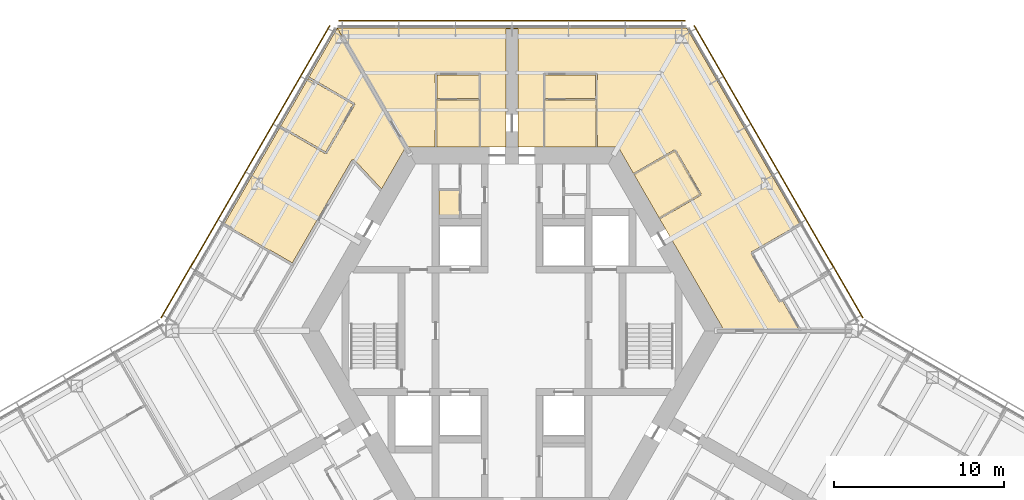
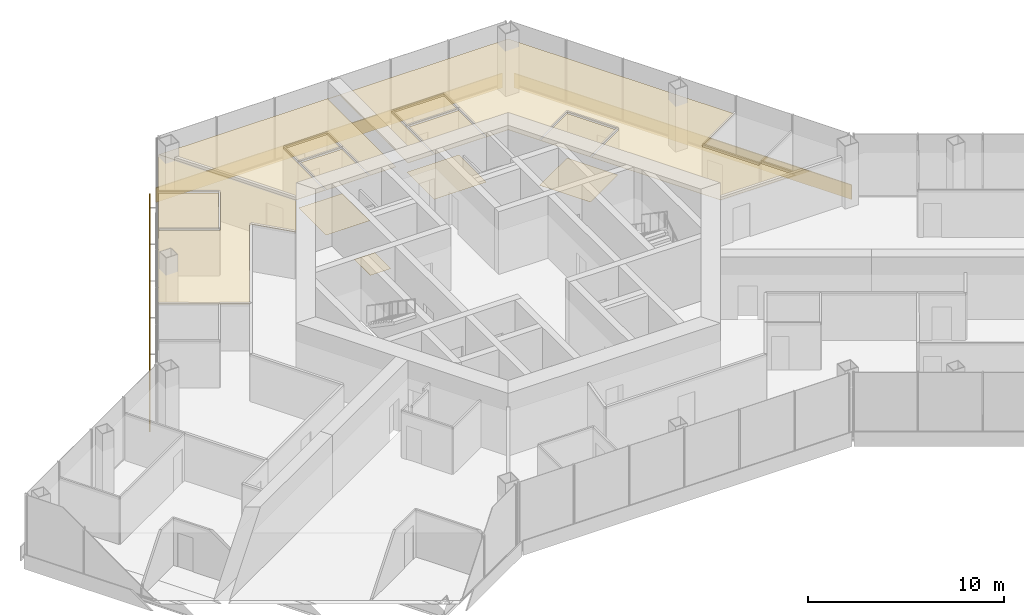
# One storey, part 18 of 18: 13 coverings, 3 shading devices.
"""IFC4 building model written with IfcOpenShell, lengths in metres."""

from ifc_helpers import new_model, si_unit, direction, frame, origin, origin_2d, place, context, subcontext, project, spatial, polyline, rectangle, outline, extrude, material, layer, layer_set, type_object, element, save


model = new_model("IFC4")

# Units and contexts
model_context = context("Model", 3, precision=1e-05, world=origin(), true_north=direction((0.0, 1.0)))
body_context = subcontext(model_context, "Body", "Model", "MODEL_VIEW")
ifc_project = project(units=[si_unit("LENGTHUNIT", "METRE"), si_unit("AREAUNIT", "SQUARE_METRE"), si_unit("VOLUMEUNIT", "CUBIC_METRE"), si_unit("PLANEANGLEUNIT", "RADIAN"), si_unit("MASSUNIT", "GRAM", prefix="KILO")], contexts=[model_context])

# Site, building, storey
site_placement = place(None, origin())
site = spatial("IfcSite", under=ifc_project, at=site_placement, CompositionType="ELEMENT")
building_placement = place(site_placement, origin())
building = spatial("IfcBuilding", under=site, at=building_placement, Name="Kasaneha Research Tower", CompositionType="ELEMENT")
storey_placement = place(building_placement, frame((0.0, 0.0, 140.89990234375)))
storey = spatial("IfcBuildingStorey", under=building, at=storey_placement, Name="L35", CompositionType="ELEMENT", Elevation=140.89990234375)

# Coverings
ifc_material_1 = material(Name="Gypsum ceiling board", Category="gypsum")
ifc_layer_1 = layer(ifc_material_1, 0.02001953125)
ifc_layer_set_1 = layer_set([ifc_layer_1], Name="Suspended ceiling 20")
covering_type_1 = type_object("IfcCoveringType", Name="Suspended ceiling 20", PredefinedType="CEILING", material=ifc_layer_set_1)
covering_1_placement = place(storey_placement, frame((0.0, 0.0, 2.800048828125)))
element("IfcCovering", 1, at=covering_1_placement, inside=storey, type_object=covering_type_1, Name="Ceiling L35-26", PredefinedType="CEILING", context=body_context, shape_type="SweptSolid", body=[
    extrude(outline(polyline([(1.89990234375, 10.824951171875), (1.89990234375, 10.844970703125), (1.949951171875, 10.844970703125), (1.95458984375, 13.570068359375), (4.91650390625, 13.570068359375), (4.9208984375, 10.844970703125), (4.970947265625, 10.844970703125), (4.970947265625, 10.824951171875), (1.89990234375, 10.824951171875)])), origin(), (0.0, 0.0, 1.0), 0.02001953125),
])
covering_2_placement = place(storey_placement, frame((0.0, 0.0, 2.800048828125)))
element("IfcCovering", 2, at=covering_2_placement, inside=storey, type_object=covering_type_1, Name="Ceiling L35-27", PredefinedType="CEILING", context=body_context, shape_type="SweptSolid", body=[
    extrude(outline(polyline([(4.91650390625, 13.669921875), (1.954345703125, 13.669921875), (1.9501953125, 15.074951171875), (4.9208984375, 15.074951171875), (4.91650390625, 13.669921875)])), origin(), (0.0, 0.0, 1.0), 0.02001953125),
])
covering_3_placement = place(storey_placement, frame((0.0, 0.0, 2.800048828125)))
element("IfcCovering", 3, at=covering_3_placement, inside=storey, type_object=covering_type_1, Name="Ceiling L35-28", PredefinedType="CEILING", context=body_context, shape_type="SweptSolid", body=[
    extrude(outline(polyline([(7.1748046875, 9.222900390625), (7.19189453125, 9.23291015625), (7.217041015625, 9.189697265625), (9.581298828125, 10.5546875), (11.03125, 8.043212890625), (8.6669921875, 6.67822265625), (8.69189453125, 6.635009765625), (8.6748046875, 6.625), (7.1748046875, 9.222900390625)])), origin(), (0.0, 0.0, 1.0), 0.02001953125),
])
covering_4_placement = place(storey_placement, frame((0.0, 0.0, 2.800048828125)))
element("IfcCovering", 4, at=covering_4_placement, inside=storey, type_object=covering_type_1, Name="Ceiling L35-31", PredefinedType="CEILING", context=body_context, shape_type="SweptSolid", body=[
    extrude(outline(polyline([(8.692138671875, 6.634521484375), (8.717041015625, 6.591552734375), (11.12451171875, 7.981689453125), (11.099609375, 8.02490234375), (11.10009765625, 8.025146484375), (11.10009765625, 8.025146484375), (11.142822265625, 8.0498046875), (9.642822265625, 10.64794921875), (9.599853515625, 10.623291015625), (9.599853515625, 10.62353515625), (9.599365234375, 10.623291015625), (9.57470703125, 10.666259765625), (7.1669921875, 9.2763671875), (7.191650390625, 9.2333984375), (7.174560546875, 9.223388671875), (6.249755859375, 10.824951171875), (4.971435546875, 10.824951171875), (4.971435546875, 10.844970703125), (5.02099609375, 10.844970703125), (5.016357421875, 13.625), (5.02099609375, 15.124755859375), (4.971435546875, 15.125), (4.971435546875, 15.12548828125), (4.970947265625, 15.12548828125), (4.970947265625, 15.175048828125), (1.89990234375, 15.175048828125), (1.89990234375, 15.125244140625), (1.899658203125, 15.125244140625), (1.899658203125, 15.125), (1.85009765625, 15.124755859375), (1.8544921875, 13.625), (1.85009765625, 10.844970703125), (1.8994140625, 10.844970703125), (1.8994140625, 10.824951171875), (0.35009765625, 10.824951171875), (0.35009765625, 11.72509765625), (0.35009765625, 12.72509765625), (0.35009765625, 17.7705078125), (0.35009765625, 17.7705078125), (0.0, 17.7705078125), (0.0, 17.820556640625), (10.28857421875, 17.820556640625), (16.94677734375, 6.28857421875), (14.0888671875, 4.638427734375), (14.11376953125, 4.595458984375), (14.11328125, 4.59521484375), (14.113525390625, 4.594970703125), (14.070556640625, 4.5703125), (15.736083984375, 1.685546875), (15.78662109375, 1.71484375), (15.913330078125, 1.787353515625), (16.93994140625, 0.0), (12.49951171875, 0.0), (8.675048828125, 6.62451171875), (8.692138671875, 6.634521484375)])), origin(), (0.0, 0.0, 1.0), 0.02001953125),
])
covering_5_placement = place(storey_placement, frame((0.0, 0.0, 2.800048828125)))
element("IfcCovering", 5, at=covering_5_placement, inside=storey, type_object=covering_type_1, Name="Ceiling L35-32", PredefinedType="CEILING", context=body_context, shape_type="SweptSolid", body=[
    extrude(outline(polyline([(-4.470947265625, 10.824951171875), (-4.470947265625, 10.844970703125), (-4.4208984375, 10.844970703125), (-4.41650390625, 13.570068359375), (-1.95458984375, 13.570068359375), (-1.949951171875, 10.844970703125), (-1.89990234375, 10.844970703125), (-1.89990234375, 10.824951171875), (-4.470947265625, 10.824951171875)])), origin(), (0.0, 0.0, 1.0), 0.02001953125),
])
covering_6_placement = place(storey_placement, frame((0.0, 0.0, 2.800048828125)))
element("IfcCovering", 6, at=covering_6_placement, inside=storey, type_object=covering_type_1, Name="Ceiling L35-33", PredefinedType="CEILING", context=body_context, shape_type="SweptSolid", body=[
    extrude(outline(polyline([(-1.9501953125, 15.074951171875), (-1.95458984375, 13.669921875), (-4.41650390625, 13.669921875), (-4.4208984375, 15.074951171875), (-1.9501953125, 15.074951171875)])), origin(), (0.0, 0.0, 1.0), 0.02001953125),
])
covering_7_placement = place(storey_placement, frame((0.0, 0.0, 2.800048828125)))
element("IfcCovering", 7, at=covering_7_placement, inside=storey, type_object=covering_type_1, Name="Ceiling L35-34", PredefinedType="CEILING", context=body_context, shape_type="SweptSolid", body=[
    extrude(outline(polyline([(-0.35009765625, 11.72509765625), (-0.35009765625, 10.824951171875), (-1.8994140625, 10.824951171875), (-1.8994140625, 10.844970703125), (-1.85009765625, 10.844970703125), (-1.854736328125, 13.625), (-1.85009765625, 15.124755859375), (-1.89990234375, 15.125), (-1.89990234375, 15.12548828125), (-1.89990234375, 15.175048828125), (-4.470947265625, 15.175048828125), (-4.470947265625, 15.125244140625), (-4.471435546875, 15.125244140625), (-4.471435546875, 15.125), (-4.52099609375, 15.124755859375), (-4.516357421875, 13.625), (-4.52099609375, 10.844970703125), (-4.471435546875, 10.844970703125), (-4.471435546875, 10.824951171875), (-6.249755859375, 10.824951171875), (-10.28857421875, 17.820556640625), (0.0, 17.820556640625), (0.0, 17.7705078125), (-0.35009765625, 17.7705078125), (-0.35009765625, 17.7705078125), (-0.35009765625, 12.72509765625), (-0.35009765625, 11.72509765625)])), origin(), (0.0, 0.0, 1.0), 0.02001953125),
])
covering_8_placement = place(storey_placement, frame((0.0, 0.0, 2.800048828125)))
element("IfcCovering", 8, at=covering_8_placement, inside=storey, type_object=covering_type_1, Name="Ceiling L35-37", PredefinedType="CEILING", context=body_context, shape_type="SweptSolid", body=[
    extrude(outline(polyline([(-12.000244140625, 14.85595703125), (-9.35888671875, 13.330810546875), (-10.974365234375, 10.53271484375), (-13.598388671875, 12.0478515625), (-13.623291015625, 12.004638671875), (-13.640869140625, 12.0146484375), (-12.000244140625, 14.85595703125)])), origin(), (0.0, 0.0, 1.0), 0.02001953125),
])
covering_9_placement = place(storey_placement, frame((0.0, 0.0, 2.800048828125)))
element("IfcCovering", 9, at=covering_9_placement, inside=storey, type_object=covering_type_1, Name="Ceiling L35-42", PredefinedType="CEILING", context=body_context, shape_type="SweptSolid", body=[
    extrude(outline(polyline([(-9.360595703125, 10.037841796875), (-9.360595703125, 10.037841796875), (-9.425048828125, 10.0751953125), (-12.93505859375, 3.99560546875), (-14.25146484375, 4.755859375), (-14.28662109375, 4.695068359375), (-14.286865234375, 4.6953125), (-14.264404296875, 4.734375), (-16.94677734375, 6.28857421875), (-13.64111328125, 12.01416015625), (-13.62353515625, 12.004150390625), (-13.6484375, 11.961181640625), (-10.981201171875, 10.421142578125), (-10.9560546875, 10.464599609375), (-10.912841796875, 10.439453125), (-9.247314453125, 13.32421875), (-9.290283203125, 13.34912109375), (-9.2900390625, 13.349365234375), (-9.29052734375, 13.349609375), (-9.265625, 13.392578125), (-11.9501953125, 14.9423828125), (-10.28857421875, 17.820556640625), (-6.249755859375, 10.824951171875), (-7.6806640625, 8.346435546875), (-9.305419921875, 10.0888671875), (-9.360107421875, 10.03759765625), (-9.3603515625, 10.03759765625), (-9.360595703125, 10.037841796875)])), origin(), (0.0, 0.0, 1.0), 0.02001953125),
])

# Shading devices
ifc_material_2 = material(Name="Terracotta", Category="masonry")
ifc_layer_2 = layer(ifc_material_2, 0.06005859375)
ifc_layer_set_2 = layer_set([ifc_layer_2], Name="Terracotta baguette screen")
shading_device_type = type_object("IfcShadingDeviceType", Name="Terracotta baguette screen", PredefinedType="USERDEFINED", material=ifc_layer_set_2)
shading_device_1_placement = place(storey_placement, frame((15.696044921875, 9.35498046875, -0.449951171875), z_axis=(0.0, 0.0, 1.0), x_axis=(-0.499999979232, 0.866025415775, 0.0)))
element("IfcShadingDevice", 10, at=shading_device_1_placement, inside=storey, type_object=shading_device_type, Name="Baguette screen L35 06", ObjectType="TERRACOTTA BAGUETTE SCREEN", PredefinedType="USERDEFINED", context=body_context, shape_type="SweptSolid", body=[
    extrude(rectangle(XDim=19.8857421875, YDim=0.06005859375, at=origin_2d()), origin(), (0.0, 0.0, 1.0), 0.89990234375),
])
shading_device_2_placement = place(storey_placement, frame((0.0, 18.2705078125, -0.449951171875), z_axis=(0.0, 0.0, 1.0), x_axis=(-1.0, 0.0, 0.0)))
element("IfcShadingDevice", 11, at=shading_device_2_placement, inside=storey, type_object=shading_device_type, Name="Baguette screen L35 07", ObjectType="TERRACOTTA BAGUETTE SCREEN", PredefinedType="USERDEFINED", context=body_context, shape_type="SweptSolid", body=[
    extrude(rectangle(XDim=20.392822265625, YDim=0.06005859375, at=origin_2d()), origin(), (0.0, 0.0, 1.0), 0.89990234375),
])
shading_device_3_placement = place(storey_placement, frame((-15.696044921875, 9.35498046875, -0.449951171875), z_axis=(0.0, 0.0, 1.0), x_axis=(-0.499999979232, -0.866025415775, 0.0)))
element("IfcShadingDevice", 12, at=shading_device_3_placement, inside=storey, type_object=shading_device_type, Name="Baguette screen L35 08", ObjectType="TERRACOTTA BAGUETTE SCREEN", PredefinedType="USERDEFINED", context=body_context, shape_type="SweptSolid", body=[
    extrude(rectangle(XDim=19.8857421875, YDim=0.06005859375, at=origin_2d()), origin(), (0.0, 0.0, 1.0), 0.89990234375),
])

# Coverings
ifc_material_3 = material(Name="Vinyl sheet flooring", Category="plastic")
ifc_layer_3 = layer(ifc_material_3, 0.0048828125)
ifc_layer_set_3 = layer_set([ifc_layer_3], Name="Wet room sheet flooring 5")
covering_type_2 = type_object("IfcCoveringType", Name="Wet room sheet flooring 5", PredefinedType="FLOORING", material=ifc_layer_set_3)
covering_10_placement = place(storey_placement, origin())
element("IfcCovering", 13, at=covering_10_placement, inside=storey, type_object=covering_type_2, Name="Floor finish L35-07", PredefinedType="FLOORING", context=body_context, shape_type="SweptSolid", body=[
    extrude(outline(polyline([(-4.300048828125, 6.60009765625), (-4.300048828125, 8.25), (-3.10009765625, 8.25), (-3.10009765625, 6.60009765625), (-4.300048828125, 6.60009765625)])), origin(), (0.0, 0.0, 1.0), 0.005126953125),
])
covering_11_placement = place(storey_placement, origin())
element("IfcCovering", 14, at=covering_11_placement, inside=storey, type_object=covering_type_2, Name="Floor finish L35-26", PredefinedType="FLOORING", context=body_context, shape_type="SweptSolid", body=[
    extrude(outline(polyline([(4.970947265625, 13.625), (4.970947265625, 10.824951171875), (1.89990234375, 10.824951171875), (1.89990234375, 13.625), (4.970947265625, 13.625)])), origin(), (0.0, 0.0, 1.0), 0.005126953125),
])
covering_12_placement = place(storey_placement, origin())
element("IfcCovering", 15, at=covering_12_placement, inside=storey, type_object=covering_type_2, Name="Floor finish L35-28", PredefinedType="FLOORING", context=body_context, shape_type="SweptSolid", body=[
    extrude(outline(polyline([(11.099609375, 8.02490234375), (8.6748046875, 6.625), (7.1748046875, 9.222900390625), (9.599609375, 10.623046875), (11.099609375, 8.02490234375)])), origin(), (0.0, 0.0, 1.0), 0.005126953125),
])
covering_13_placement = place(storey_placement, origin())
element("IfcCovering", 16, at=covering_13_placement, inside=storey, type_object=covering_type_2, Name="Floor finish L35-32", PredefinedType="FLOORING", context=body_context, shape_type="SweptSolid", body=[
    extrude(outline(polyline([(-1.89990234375, 13.625), (-1.89990234375, 10.824951171875), (-4.470947265625, 10.824951171875), (-4.470947265625, 13.625), (-1.89990234375, 13.625)])), origin(), (0.0, 0.0, 1.0), 0.005126953125),
])

save(model, "model.ifc")
